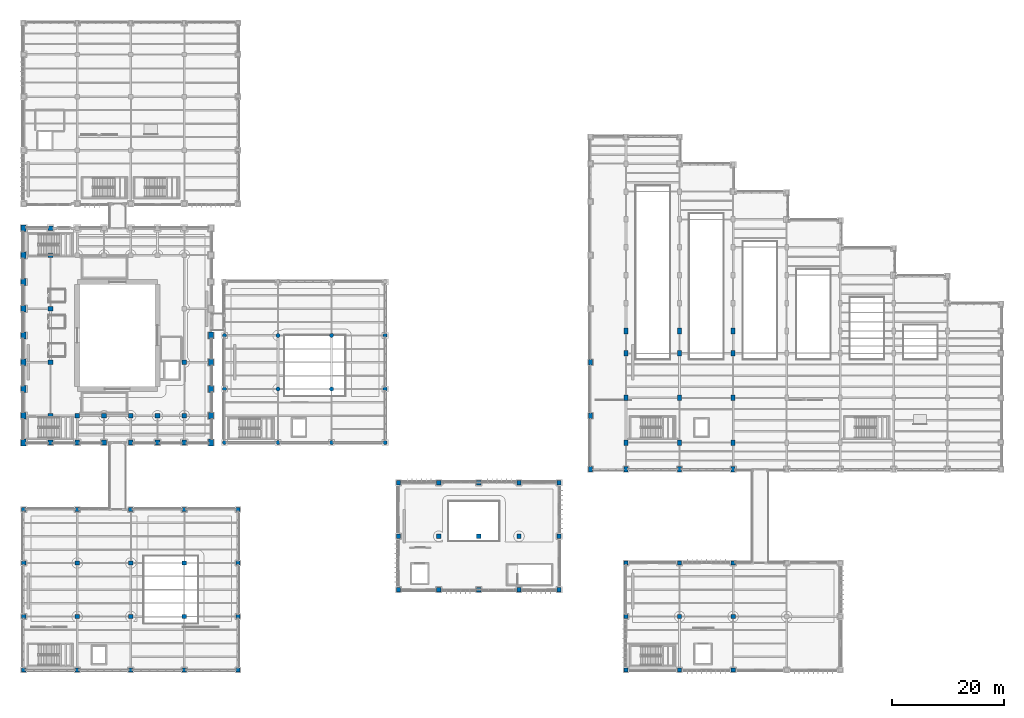
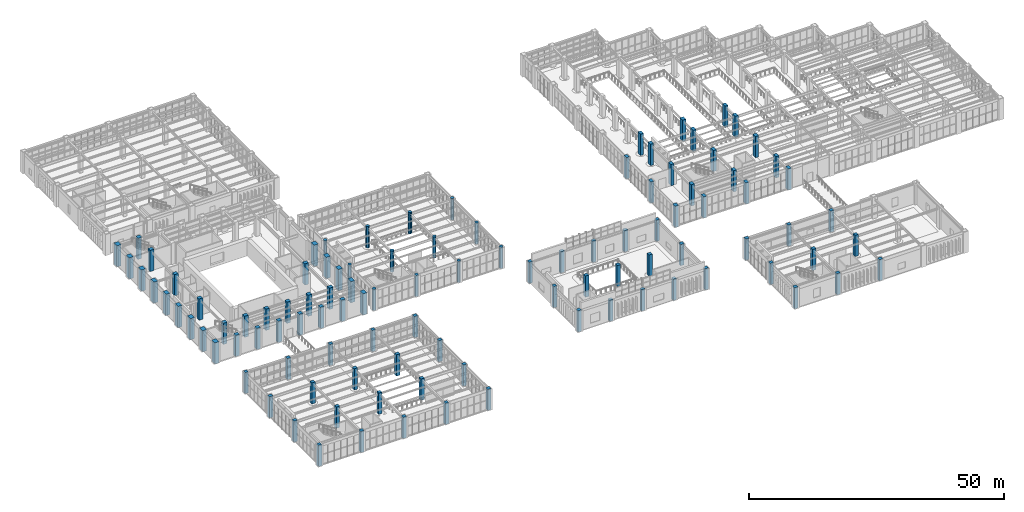
# One storey, part 1 of 174: 105 columns.
"""IFC4 building model written with IfcOpenShell, lengths in metres."""

from ifc_helpers import new_model, si_unit, direction, frame, origin, origin_2d, place, context, subcontext, project, spatial, rectangle, circle, extrude, material, material_profile, profile_set, type_object, element, save


model = new_model("IFC4")

# Units and contexts
model_context = context("Model", 3, precision=1e-05, world=origin(), true_north=direction((0.0, 1.0)))
body_context = subcontext(model_context, "Body", "Model", "MODEL_VIEW")
ifc_project = project(units=[si_unit("LENGTHUNIT", "METRE"), si_unit("AREAUNIT", "SQUARE_METRE"), si_unit("VOLUMEUNIT", "CUBIC_METRE"), si_unit("PLANEANGLEUNIT", "RADIAN"), si_unit("MASSUNIT", "GRAM", prefix="KILO")], contexts=[model_context])

# Site, building, storey
site_placement = place(None, origin())
site = spatial("IfcSite", under=ifc_project, at=site_placement, CompositionType="ELEMENT")
building_placement = place(site_placement, origin())
building = spatial("IfcBuilding", under=site, at=building_placement, Name="Mavantir Sound Aquarium", CompositionType="ELEMENT")
storey_placement = place(building_placement, frame((0.0, 0.0, 5.39990234375)))
storey = spatial("IfcBuildingStorey", under=building, at=storey_placement, Name="L01", CompositionType="ELEMENT", Elevation=5.39990234375)

# Columns
ifc_material = material(Name="Concrete C40/50", Category="concrete")
ifc_material_profile_1 = material_profile(ifc_material, rectangle(XDim=0.699951171875, YDim=1.0, at=origin_2d()), Name="RC 700X1000")
ifc_profile_set_1 = profile_set([ifc_material_profile_1], Name="Concrete C40/50")
column_type_1 = type_object("IfcColumnType", Name="COL-RC700X1000-I", PredefinedType="COLUMN", material=ifc_profile_set_1)
for number, where, z_axis, x_axis, name in (
    (1, (101.60009765625, 36.0, 0.0), (0.0, 0.0, 1.0), (1.0, 0.0, 0.0), "L01 column RC-C710 (V4)"),
    (2, (101.60009765625, 45.60009765625, 0.0), (0.0, 0.0, 1.0), (1.0, 0.0, 0.0), "L01 column RC-C710 (V4)"),
    (3, (101.60009765625, 55.199951171875, 0.0), (0.0, 0.0, 1.0), (1.0, 0.0, 0.0), "L01 column RC-C710 (V4)"),
    (4, (108.0, 36.0, 0.0), (0.0, 0.0, 1.0), (1.0, 0.0, 0.0), "L01 column RC-C710 (V4)"),
    (5, (108.0, 40.800048828125, 0.0), (0.0, 0.0, 1.0), (1.0, 0.0, 0.0), "L01 column RC-C710 (V4)"),
    (6, (108.0, 48.800048828125, 0.0), (0.0, 0.0, 1.0), (1.0, 0.0, 0.0), "L01 column RC-C710 (V4)"),
    (7, (108.0, 56.800048828125, 0.0), (0.0, 0.0, 1.0), (1.0, 0.0, 0.0), "L01 column RC-C710 (V4)"),
    (8, (108.0, 60.800048828125, 0.0), (0.0, 0.0, 1.0), (1.0, 0.0, 0.0), "L01 column RC-C710 (V4)"),
    (9, (117.60009765625, 36.0, 0.0), (0.0, 0.0, 1.0), (1.0, 0.0, 0.0), "L01 column RC-C710 (V4)"),
    (10, (117.60009765625, 40.800048828125, 0.0), (0.0, 0.0, 1.0), (1.0, 0.0, 0.0), "L01 column RC-C710 (V4)"),
    (11, (117.60009765625, 48.800048828125, 0.0), (0.0, 0.0, 1.0), (1.0, 0.0, 0.0), "L01 column RC-C710 (V4)"),
    (12, (117.60009765625, 56.800048828125, 0.0), (0.0, 0.0, 1.0), (1.0, 0.0, 0.0), "L01 column RC-C710 (V4)"),
    (13, (117.60009765625, 60.800048828125, 0.0), (0.0, 0.0, 1.0), (1.0, 0.0, 0.0), "L01 column RC-C710 (V4)"),
    (14, (127.199951171875, 36.0, 0.0), (0.0, 0.0, 1.0), (1.0, 0.0, 0.0), "L01 column RC-C710 (V4)"),
    (15, (127.199951171875, 40.800048828125, 0.0), (0.0, 0.0, 1.0), (1.0, 0.0, 0.0), "L01 column RC-C710 (V4)"),
    (16, (127.199951171875, 48.800048828125, 0.0), (0.0, 0.0, 1.0), (1.0, 0.0, 0.0), "L01 column RC-C710 (V4)"),
    (17, (127.199951171875, 56.800048828125, 0.0), (0.0, 0.0, 1.0), (1.0, 0.0, 0.0), "L01 column RC-C710 (V4)"),
    (18, (127.199951171875, 60.800048828125, 0.0), (0.0, 0.0, 1.0), (1.0, 0.0, 0.0), "L01 column RC-C710 (V4)"),
):
    element("IfcColumn", number, at=place(storey_placement, frame(where, z_axis=z_axis, x_axis=x_axis)), inside=storey, type_object=column_type_1, Name=name, PredefinedType="COLUMN", context=body_context, shape_type="SweptSolid", body=[
        extrude(rectangle(XDim=0.699951171875, YDim=1.0, at=origin_2d()), origin(), (0.0, 0.0, 1.0), 5.10009765625),
    ])
ifc_material_profile_2 = material_profile(ifc_material, rectangle(XDim=0.75, YDim=0.75, at=origin_2d()), Name="RC 750X750")
ifc_profile_set_2 = profile_set([ifc_material_profile_2], Name="Concrete C40/50")
column_type_2 = type_object("IfcColumnType", Name="COL-RC750-E", PredefinedType="COLUMN", material=ifc_profile_set_2)
for number, where, z_axis, x_axis, name in (
    (19, (0.0, 0.0, 0.0), (0.0, 0.0, 1.0), (1.0, 0.0, 0.0), "L01 column RC-C75 (V3)"),
    (20, (0.0, 9.60009765625, 0.0), (0.0, 0.0, 1.0), (1.0, 0.0, 0.0), "L01 column RC-C75 (V3)"),
    (21, (0.0, 19.199951171875, 0.0), (0.0, 0.0, 1.0), (1.0, 0.0, 0.0), "L01 column RC-C75 (V3)"),
    (22, (0.0, 28.800048828125, 0.0), (0.0, 0.0, 1.0), (1.0, 0.0, 0.0), "L01 column RC-C75 (V3)"),
    (23, (9.60009765625, 0.0, 0.0), (0.0, 0.0, 1.0), (1.0, 0.0, 0.0), "L01 column RC-C75 (V3)"),
    (24, (19.199951171875, 0.0, 0.0), (0.0, 0.0, 1.0), (1.0, 0.0, 0.0), "L01 column RC-C75 (V3)"),
    (25, (28.800048828125, 0.0, 0.0), (0.0, 0.0, 1.0), (1.0, 0.0, 0.0), "L01 column RC-C75 (V3)"),
    (26, (38.39990234375, 0.0, 0.0), (0.0, 0.0, 1.0), (1.0, 0.0, 0.0), "L01 column RC-C75 (V3)"),
    (27, (108.0, 0.0, 0.0), (0.0, 0.0, 1.0), (1.0, 0.0, 0.0), "L01 column RC-C75 (V6)"),
    (28, (117.60009765625, 0.0, 0.0), (0.0, 0.0, 1.0), (1.0, 0.0, 0.0), "L01 column RC-C75 (V6)"),
    (29, (127.199951171875, 0.0, 0.0), (0.0, 0.0, 1.0), (1.0, 0.0, 0.0), "L01 column RC-C75 (V6)"),
):
    element("IfcColumn", number, at=place(storey_placement, frame(where, z_axis=z_axis, x_axis=x_axis)), inside=storey, type_object=column_type_2, Name=name, PredefinedType="COLUMN", context=body_context, shape_type="SweptSolid", body=[
        extrude(rectangle(XDim=0.75, YDim=0.75, at=origin_2d()), origin(), (0.0, 0.0, 1.0), 5.10009765625),
    ])
ifc_material_profile_3 = material_profile(ifc_material, rectangle(XDim=0.75, YDim=0.75, at=origin_2d()), Name="RC 750X750")
ifc_profile_set_3 = profile_set([ifc_material_profile_3], Name="Concrete C40/50")
column_type_3 = type_object("IfcColumnType", Name="COL-RC750-I", PredefinedType="COLUMN", material=ifc_profile_set_3)
for number, where, z_axis, x_axis, name in (
    (30, (9.60009765625, 9.60009765625, 0.0), (0.0, 0.0, 1.0), (1.0, 0.0, 0.0), "L01 column RC-C75 (V3)"),
    (31, (9.60009765625, 19.199951171875, 0.0), (0.0, 0.0, 1.0), (1.0, 0.0, 0.0), "L01 column RC-C75 (V3)"),
    (32, (9.60009765625, 28.800048828125, 0.0), (0.0, 0.0, 1.0), (1.0, 0.0, 0.0), "L01 column RC-C75 (V3)"),
    (33, (19.199951171875, 9.60009765625, 0.0), (0.0, 0.0, 1.0), (1.0, 0.0, 0.0), "L01 column RC-C75 (V3)"),
    (34, (19.199951171875, 19.199951171875, 0.0), (0.0, 0.0, 1.0), (1.0, 0.0, 0.0), "L01 column RC-C75 (V3)"),
    (35, (19.199951171875, 28.800048828125, 0.0), (0.0, 0.0, 1.0), (1.0, 0.0, 0.0), "L01 column RC-C75 (V3)"),
    (36, (28.800048828125, 9.60009765625, 0.0), (0.0, 0.0, 1.0), (1.0, 0.0, 0.0), "L01 column RC-C75 (V3)"),
    (37, (28.800048828125, 19.199951171875, 0.0), (0.0, 0.0, 1.0), (1.0, 0.0, 0.0), "L01 column RC-C75 (V3)"),
    (38, (28.800048828125, 28.800048828125, 0.0), (0.0, 0.0, 1.0), (1.0, 0.0, 0.0), "L01 column RC-C75 (V3)"),
    (39, (38.39990234375, 9.60009765625, 0.0), (0.0, 0.0, 1.0), (1.0, 0.0, 0.0), "L01 column RC-C75 (V3)"),
    (40, (38.39990234375, 19.199951171875, 0.0), (0.0, 0.0, 1.0), (1.0, 0.0, 0.0), "L01 column RC-C75 (V3)"),
    (41, (38.39990234375, 28.800048828125, 0.0), (0.0, 0.0, 1.0), (1.0, 0.0, 0.0), "L01 column RC-C75 (V3)"),
    (42, (108.0, 9.60009765625, 0.0), (0.0, 0.0, 1.0), (1.0, 0.0, 0.0), "L01 column RC-C75 (V6)"),
    (43, (108.0, 19.199951171875, 0.0), (0.0, 0.0, 1.0), (1.0, 0.0, 0.0), "L01 column RC-C75 (V6)"),
    (44, (117.60009765625, 9.60009765625, 0.0), (0.0, 0.0, 1.0), (1.0, 0.0, 0.0), "L01 column RC-C75 (V6)"),
    (45, (117.60009765625, 19.199951171875, 0.0), (0.0, 0.0, 1.0), (1.0, 0.0, 0.0), "L01 column RC-C75 (V6)"),
    (46, (127.199951171875, 9.60009765625, 0.0), (0.0, 0.0, 1.0), (1.0, 0.0, 0.0), "L01 column RC-C75 (V6)"),
    (47, (127.199951171875, 19.199951171875, 0.0), (0.0, 0.0, 1.0), (1.0, 0.0, 0.0), "L01 column RC-C75 (V6)"),
    (48, (67.199951171875, 14.39990234375, 0.0), (0.0, 0.0, 1.0), (1.0, 0.0, 0.0), "L01 column RC-C75 (V7)"),
    (49, (67.199951171875, 24.0, 0.0), (0.0, 0.0, 1.0), (1.0, 0.0, 0.0), "L01 column RC-C75 (V7)"),
    (50, (67.199951171875, 33.60009765625, 0.0), (0.0, 0.0, 1.0), (1.0, 0.0, 0.0), "L01 column RC-C75 (V7)"),
    (51, (74.39990234375, 14.39990234375, 0.0), (0.0, 0.0, 1.0), (1.0, 0.0, 0.0), "L01 column RC-C75 (V7)"),
    (52, (74.39990234375, 24.0, 0.0), (0.0, 0.0, 1.0), (1.0, 0.0, 0.0), "L01 column RC-C75 (V7)"),
    (53, (74.39990234375, 33.60009765625, 0.0), (0.0, 0.0, 1.0), (1.0, 0.0, 0.0), "L01 column RC-C75 (V7)"),
    (54, (81.60009765625, 14.39990234375, 0.0), (0.0, 0.0, 1.0), (1.0, 0.0, 0.0), "L01 column RC-C75 (V7)"),
    (55, (81.60009765625, 24.0, 0.0), (0.0, 0.0, 1.0), (1.0, 0.0, 0.0), "L01 column RC-C75 (V7)"),
    (56, (81.60009765625, 33.60009765625, 0.0), (0.0, 0.0, 1.0), (1.0, 0.0, 0.0), "L01 column RC-C75 (V7)"),
    (57, (88.800048828125, 14.39990234375, 0.0), (0.0, 0.0, 1.0), (1.0, 0.0, 0.0), "L01 column RC-C75 (V7)"),
    (58, (88.800048828125, 24.0, 0.0), (0.0, 0.0, 1.0), (1.0, 0.0, 0.0), "L01 column RC-C75 (V7)"),
    (59, (88.800048828125, 33.60009765625, 0.0), (0.0, 0.0, 1.0), (1.0, 0.0, 0.0), "L01 column RC-C75 (V7)"),
    (60, (96.0, 14.39990234375, 0.0), (0.0, 0.0, 1.0), (1.0, 0.0, 0.0), "L01 column RC-C75 (V7)"),
    (61, (96.0, 24.0, 0.0), (0.0, 0.0, 1.0), (1.0, 0.0, 0.0), "L01 column RC-C75 (V7)"),
    (62, (96.0, 33.60009765625, 0.0), (0.0, 0.0, 1.0), (1.0, 0.0, 0.0), "L01 column RC-C75 (V7)"),
):
    element("IfcColumn", number, at=place(storey_placement, frame(where, z_axis=z_axis, x_axis=x_axis)), inside=storey, type_object=column_type_3, Name=name, PredefinedType="COLUMN", context=body_context, shape_type="SweptSolid", body=[
        extrude(rectangle(XDim=0.75, YDim=0.75, at=origin_2d()), origin(), (0.0, 0.0, 1.0), 5.10009765625),
    ])
ifc_material_profile_4 = material_profile(ifc_material, rectangle(XDim=0.85009765625, YDim=0.85009765625, at=origin_2d()), Name="RC 850X850")
ifc_profile_set_4 = profile_set([ifc_material_profile_4], Name="Concrete C40/50")
column_type_4 = type_object("IfcColumnType", Name="COL-RC850-I", PredefinedType="COLUMN", material=ifc_profile_set_4)
for number, where, z_axis, x_axis, name in (
    (63, (4.800048828125, 40.800048828125, 0.0), (0.0, 0.0, 1.0), (1.0, 0.0, 0.0), "L01 column RC-C85 (V1)"),
    (64, (4.800048828125, 45.60009765625, 0.0), (0.0, 0.0, 1.0), (1.0, 0.0, 0.0), "L01 column RC-C85 (V1)"),
    (65, (4.800048828125, 55.199951171875, 0.0), (0.0, 0.0, 1.0), (1.0, 0.0, 0.0), "L01 column RC-C85 (V1)"),
    (66, (4.800048828125, 64.800048828125, 0.0), (0.0, 0.0, 1.0), (1.0, 0.0, 0.0), "L01 column RC-C85 (V1)"),
    (67, (4.800048828125, 74.39990234375, 0.0), (0.0, 0.0, 1.0), (1.0, 0.0, 0.0), "L01 column RC-C85 (V1)"),
    (68, (4.800048828125, 79.199951171875, 0.0), (0.0, 0.0, 1.0), (1.0, 0.0, 0.0), "L01 column RC-C85 (V1)"),
    (69, (9.60009765625, 40.800048828125, 0.0), (0.0, 0.0, 1.0), (1.0, 0.0, 0.0), "L01 column RC-C85 (V1)"),
    (70, (9.60009765625, 45.60009765625, 0.0), (0.0, 0.0, 1.0), (1.0, 0.0, 0.0), "L01 column RC-C85 (V1)"),
    (71, (14.39990234375, 40.800048828125, 0.0), (0.0, 0.0, 1.0), (1.0, 0.0, 0.0), "L01 column RC-C85 (V1)"),
    (72, (14.39990234375, 45.60009765625, 0.0), (0.0, 0.0, 1.0), (1.0, 0.0, 0.0), "L01 column RC-C85 (V1)"),
    (73, (19.199951171875, 40.800048828125, 0.0), (0.0, 0.0, 1.0), (1.0, 0.0, 0.0), "L01 column RC-C85 (V1)"),
    (74, (19.199951171875, 45.60009765625, 0.0), (0.0, 0.0, 1.0), (1.0, 0.0, 0.0), "L01 column RC-C85 (V1)"),
    (75, (24.0, 40.800048828125, 0.0), (0.0, 0.0, 1.0), (1.0, 0.0, 0.0), "L01 column RC-C85 (V1)"),
    (76, (24.0, 45.60009765625, 0.0), (0.0, 0.0, 1.0), (1.0, 0.0, 0.0), "L01 column RC-C85 (V1)"),
    (77, (28.800048828125, 40.800048828125, 0.0), (0.0, 0.0, 1.0), (1.0, 0.0, 0.0), "L01 column RC-C85 (V1)"),
    (78, (28.800048828125, 45.60009765625, 0.0), (0.0, 0.0, 1.0), (1.0, 0.0, 0.0), "L01 column RC-C85 (V1)"),
    (79, (28.800048828125, 55.199951171875, 0.0), (0.0, 0.0, 1.0), (1.0, 0.0, 0.0), "L01 column RC-C85 (V1)"),
):
    element("IfcColumn", number, at=place(storey_placement, frame(where, z_axis=z_axis, x_axis=x_axis)), inside=storey, type_object=column_type_4, Name=name, PredefinedType="COLUMN", context=body_context, shape_type="SweptSolid", body=[
        extrude(rectangle(XDim=0.85009765625, YDim=0.85009765625, at=origin_2d()), origin(), (0.0, 0.0, 1.0), 5.10009765625),
    ])
ifc_material_profile_5 = material_profile(ifc_material, rectangle(XDim=0.89990234375, YDim=1.199951171875, at=origin_2d()), Name="RC 900X1200")
ifc_profile_set_5 = profile_set([ifc_material_profile_5], Name="Concrete C40/50")
column_type_5 = type_object("IfcColumnType", Name="COL-RC900X1200-E", PredefinedType="COLUMN", material=ifc_profile_set_5)
for number, where, z_axis, x_axis, name in (
    (80, (0.0, 40.800048828125, 0.0), (0.0, 0.0, 1.0), (1.0, 0.0, 0.0), "L01 column RC-C912 (V1)"),
    (81, (0.0, 45.60009765625, 0.0), (0.0, 0.0, 1.0), (1.0, 0.0, 0.0), "L01 column RC-C912 (V1)"),
    (82, (0.0, 50.39990234375, 0.0), (0.0, 0.0, 1.0), (1.0, 0.0, 0.0), "L01 column RC-C912 (V1)"),
    (83, (0.0, 55.199951171875, 0.0), (0.0, 0.0, 1.0), (1.0, 0.0, 0.0), "L01 column RC-C912 (V1)"),
    (84, (0.0, 60.0, 0.0), (0.0, 0.0, 1.0), (1.0, 0.0, 0.0), "L01 column RC-C912 (V1)"),
    (85, (0.0, 64.800048828125, 0.0), (0.0, 0.0, 1.0), (1.0, 0.0, 0.0), "L01 column RC-C912 (V1)"),
    (86, (0.0, 69.60009765625, 0.0), (0.0, 0.0, 1.0), (1.0, 0.0, 0.0), "L01 column RC-C912 (V1)"),
    (87, (0.0, 74.39990234375, 0.0), (0.0, 0.0, 1.0), (1.0, 0.0, 0.0), "L01 column RC-C912 (V1)"),
    (88, (0.0, 79.199951171875, 0.0), (0.0, 0.0, 1.0), (1.0, 0.0, 0.0), "L01 column RC-C912 (V1)"),
):
    element("IfcColumn", number, at=place(storey_placement, frame(where, z_axis=z_axis, x_axis=x_axis)), inside=storey, type_object=column_type_5, Name=name, PredefinedType="COLUMN", context=body_context, shape_type="SweptSolid", body=[
        extrude(rectangle(XDim=0.89990234375, YDim=1.199951171875, at=origin_2d()), origin(), (0.0, 0.0, 1.0), 5.10009765625),
    ])
ifc_material_profile_6 = material_profile(ifc_material, rectangle(XDim=0.89990234375, YDim=1.199951171875, at=origin_2d()), Name="RC 900X1200")
ifc_profile_set_6 = profile_set([ifc_material_profile_6], Name="Concrete C40/50")
column_type_6 = type_object("IfcColumnType", Name="COL-RC900X1200-I", PredefinedType="COLUMN", material=ifc_profile_set_6)
for number, where, z_axis, x_axis, name in (
    (89, (33.60009765625, 40.800048828125, 0.0), (0.0, 0.0, 1.0), (1.0, 0.0, 0.0), "L01 column RC-C912 (V1)"),
    (90, (33.60009765625, 45.60009765625, 0.0), (0.0, 0.0, 1.0), (1.0, 0.0, 0.0), "L01 column RC-C912 (V1)"),
    (91, (33.60009765625, 50.39990234375, 0.0), (0.0, 0.0, 1.0), (1.0, 0.0, 0.0), "L01 column RC-C912 (V1)"),
    (92, (33.60009765625, 55.199951171875, 0.0), (0.0, 0.0, 1.0), (1.0, 0.0, 0.0), "L01 column RC-C912 (V1)"),
    (93, (33.60009765625, 60.0, 0.0), (0.0, 0.0, 1.0), (1.0, 0.0, 0.0), "L01 column RC-C912 (V1)"),
):
    element("IfcColumn", number, at=place(storey_placement, frame(where, z_axis=z_axis, x_axis=x_axis)), inside=storey, type_object=column_type_6, Name=name, PredefinedType="COLUMN", context=body_context, shape_type="SweptSolid", body=[
        extrude(rectangle(XDim=0.89990234375, YDim=1.199951171875, at=origin_2d()), origin(), (0.0, 0.0, 1.0), 5.10009765625),
    ])
ifc_material_profile_7 = material_profile(ifc_material, circle(Radius=0.375, at=origin_2d()), Name="RC D750")
ifc_profile_set_7 = profile_set([ifc_material_profile_7], Name="Concrete C40/50")
column_type_7 = type_object("IfcColumnType", Name="COL-RCD750-I", PredefinedType="COLUMN", material=ifc_profile_set_7)
for number, where, z_axis, x_axis, name in (
    (94, (36.0, 40.800048828125, 0.0), (0.0, 0.0, 1.0), (1.0, 0.0, 0.0), "L01 column RC-CD75 (V2)"),
    (95, (36.0, 50.39990234375, 0.0), (0.0, 0.0, 1.0), (1.0, 0.0, 0.0), "L01 column RC-CD75 (V2)"),
    (96, (36.0, 60.0, 0.0), (0.0, 0.0, 1.0), (1.0, 0.0, 0.0), "L01 column RC-CD75 (V2)"),
    (97, (45.60009765625, 40.800048828125, 0.0), (0.0, 0.0, 1.0), (1.0, 0.0, 0.0), "L01 column RC-CD75 (V2)"),
    (98, (45.60009765625, 50.39990234375, 0.0), (0.0, 0.0, 1.0), (1.0, 0.0, 0.0), "L01 column RC-CD75 (V2)"),
    (99, (45.60009765625, 60.0, 0.0), (0.0, 0.0, 1.0), (1.0, 0.0, 0.0), "L01 column RC-CD75 (V2)"),
    (100, (55.199951171875, 40.800048828125, 0.0), (0.0, 0.0, 1.0), (1.0, 0.0, 0.0), "L01 column RC-CD75 (V2)"),
    (101, (55.199951171875, 50.39990234375, 0.0), (0.0, 0.0, 1.0), (1.0, 0.0, 0.0), "L01 column RC-CD75 (V2)"),
    (102, (55.199951171875, 60.0, 0.0), (0.0, 0.0, 1.0), (1.0, 0.0, 0.0), "L01 column RC-CD75 (V2)"),
    (103, (64.800048828125, 40.800048828125, 0.0), (0.0, 0.0, 1.0), (1.0, 0.0, 0.0), "L01 column RC-CD75 (V2)"),
    (104, (64.800048828125, 50.39990234375, 0.0), (0.0, 0.0, 1.0), (1.0, 0.0, 0.0), "L01 column RC-CD75 (V2)"),
    (105, (64.800048828125, 60.0, 0.0), (0.0, 0.0, 1.0), (1.0, 0.0, 0.0), "L01 column RC-CD75 (V2)"),
):
    element("IfcColumn", number, at=place(storey_placement, frame(where, z_axis=z_axis, x_axis=x_axis)), inside=storey, type_object=column_type_7, Name=name, PredefinedType="COLUMN", context=body_context, shape_type="SweptSolid", body=[
        extrude(circle(Radius=0.375, at=origin_2d()), origin(), (0.0, 0.0, 1.0), 5.10009765625),
    ])

save(model, "model.ifc")
